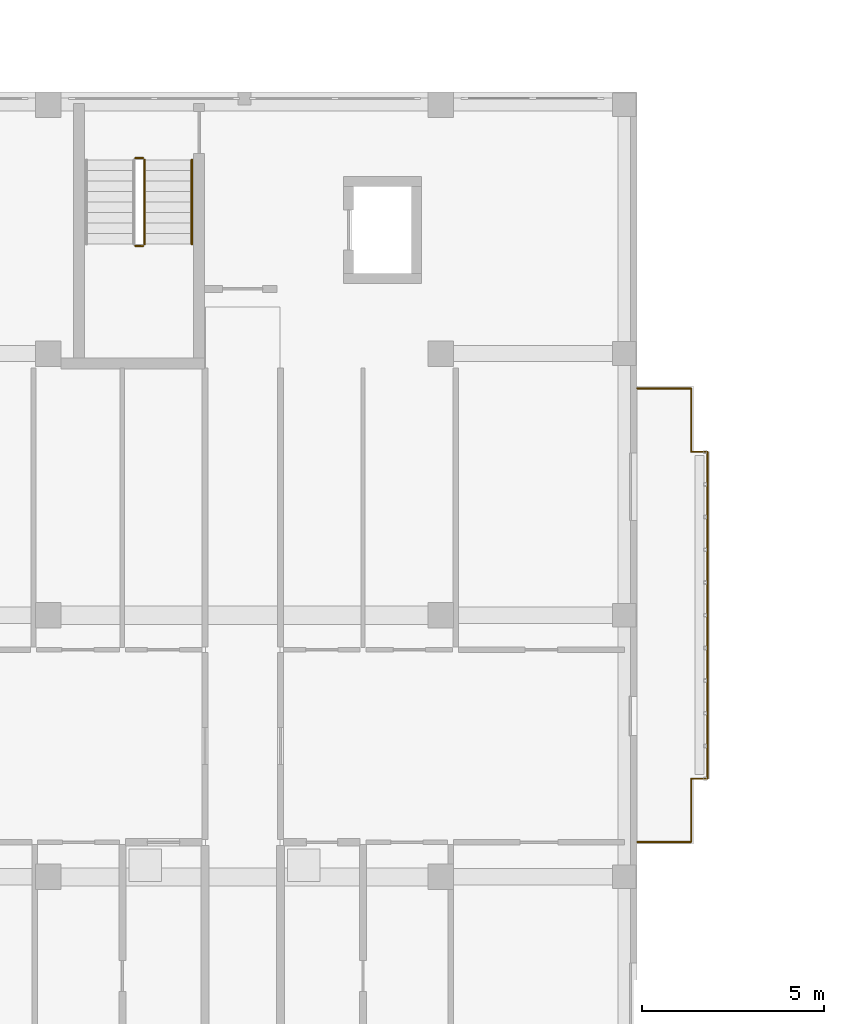
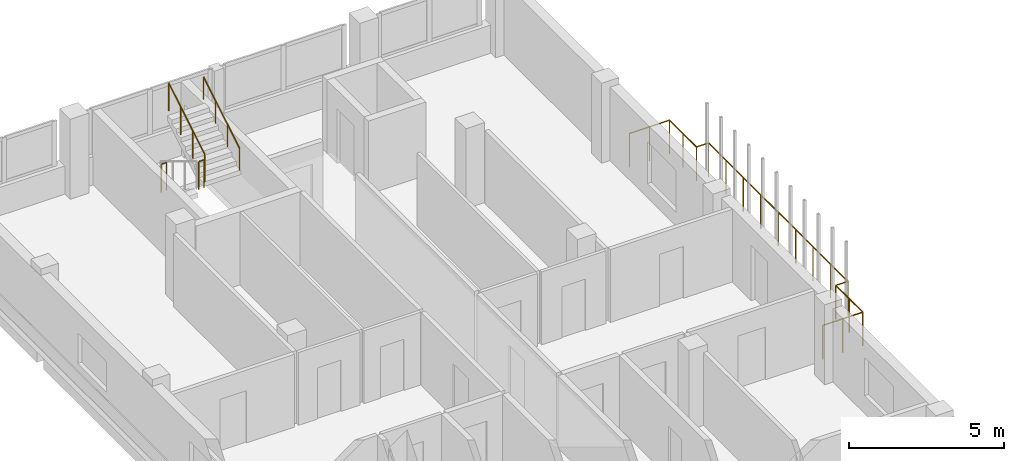
# One storey, part 45 of 56: 5 railings.
"""IFC4 building model written with IfcOpenShell, lengths in metres."""

from ifc_helpers import new_model, si_unit, derived_unit, direction, frame, origin, origin_2d, place, context, subcontext, project, spatial, circle, extrude, material, type_object, element, save


model = new_model("IFC4")

# Units and contexts
model_context = context("Model", 3, precision=1e-05, world=origin(), true_north=direction((0.0, 1.0)))
body_context = subcontext(model_context, "Body", "Model", "MODEL_VIEW")
ifc_project = project(units=[si_unit("LENGTHUNIT", "METRE"), si_unit("AREAUNIT", "SQUARE_METRE"), si_unit("VOLUMEUNIT", "CUBIC_METRE"), si_unit("PLANEANGLEUNIT", "RADIAN"), si_unit("MASSUNIT", "GRAM", prefix="KILO"), derived_unit("THERMALTRANSMITTANCEUNIT", [(si_unit("MASSUNIT", "GRAM", prefix="KILO"), 1), (si_unit("TIMEUNIT", "SECOND"), -3), (si_unit("THERMODYNAMICTEMPERATUREUNIT", "KELVIN"), -1)])], contexts=[model_context])

# Site, building, storey
site_placement = place(None, origin())
site = spatial("IfcSite", under=ifc_project, at=site_placement, CompositionType="ELEMENT")
building_placement = place(site_placement, origin())
building = spatial("IfcBuilding", under=site, at=building_placement, Name="Ochrekiln Boulevard Commons", CompositionType="ELEMENT")
storey_placement = place(building_placement, frame((0.0, 0.0, 12.074951171875)))
storey = spatial("IfcBuildingStorey", under=building, at=storey_placement, Name="L03", CompositionType="ELEMENT", Elevation=12.074951171875)

# Railings
ifc_material_1 = material(Name="Bronze-anodized extruded aluminium 6063-T6", Category="aluminium")
railing_type_1 = type_object("IfcRailingType", Name="RLG-BAL-1350", PredefinedType="BALUSTRADE", material=ifc_material_1)
railing_1_placement = place(storey_placement, frame((21.60009765625, 29.760009765625, 0.0)))
element("IfcRailing", 1, at=railing_1_placement, inside=storey, type_object=railing_type_1, Name="Block D L03 Balcony Guard Balustrade 2", PredefinedType="BALUSTRADE", context=body_context, shape_type="SweptSolid", body=[
    extrude(circle(Radius=0.02392578125, at=origin_2d()), frame((0.0, 0.0, 1.326171875), z_axis=(1.0, 0.0, 0.0), x_axis=(0.0, 1.0, 0.0)), (0.0, 0.0, 1.0), 1.489990234375),
    extrude(circle(Radius=0.02392578125, at=origin_2d()), frame((1.489990234375, 0.0, 1.326171875), z_axis=(0.0, 1.0, 0.0), x_axis=(-1.0, 0.0, 0.0)), (0.0, 0.0, 1.0), 1.739990234375),
    extrude(circle(Radius=0.02392578125, at=origin_2d()), frame((1.489990234375, 1.739990234375, 1.326171875), z_axis=(1.0, 0.0, 0.0), x_axis=(0.0, 1.0, 0.0)), (0.0, 0.0, 1.0), 0.449951171875),
    extrude(circle(Radius=0.02392578125, at=origin_2d()), frame((1.93994140625, 1.739990234375, 1.326171875), z_axis=(0.0, 1.0, 0.0), x_axis=(-1.0, 0.0, 0.0)), (0.0, 0.0, 1.0), 9.0),
    extrude(circle(Radius=0.02392578125, at=origin_2d()), frame((1.93994140625, 10.739990234375, 1.326171875), z_axis=(-1.0, 0.0, 0.0), x_axis=(0.0, -1.0, 0.0)), (0.0, 0.0, 1.0), 0.449951171875),
    extrude(circle(Radius=0.02392578125, at=origin_2d()), frame((1.489990234375, 10.739990234375, 1.326171875), z_axis=(0.0, 1.0, 0.0), x_axis=(-1.0, 0.0, 0.0)), (0.0, 0.0, 1.0), 1.739990234375),
    extrude(circle(Radius=0.02392578125, at=origin_2d()), frame((1.489990234375, 12.47998046875, 1.326171875), z_axis=(-1.0, 0.0, 0.0), x_axis=(0.0, -1.0, 0.0)), (0.0, 0.0, 1.0), 1.489990234375),
    extrude(circle(Radius=0.02099609375, at=origin_2d()), origin(), (0.0, 0.0, 1.0), 1.302001953125),
    extrude(circle(Radius=0.02099609375, at=origin_2d()), frame((0.7451171875, 0.0, 0.0)), (0.0, 0.0, 1.0), 1.302001953125),
    extrude(circle(Radius=0.02099609375, at=origin_2d()), frame((1.489990234375, 0.0, 0.0)), (0.0, 0.0, 1.0), 1.302001953125),
    extrude(circle(Radius=0.02099609375, at=origin_2d()), frame((1.489990234375, 0.8701171875, 0.0)), (0.0, 0.0, 1.0), 1.302001953125),
    extrude(circle(Radius=0.02099609375, at=origin_2d()), frame((1.489990234375, 1.739990234375, 0.0)), (0.0, 0.0, 1.0), 1.302001953125),
    extrude(circle(Radius=0.02099609375, at=origin_2d()), frame((1.93994140625, 1.739990234375, 0.0)), (0.0, 0.0, 1.0), 1.302001953125),
    extrude(circle(Radius=0.02099609375, at=origin_2d()), frame((1.93994140625, 2.864990234375, 0.0)), (0.0, 0.0, 1.0), 1.302001953125),
    extrude(circle(Radius=0.02099609375, at=origin_2d()), frame((1.93994140625, 3.989990234375, 0.0)), (0.0, 0.0, 1.0), 1.302001953125),
    extrude(circle(Radius=0.02099609375, at=origin_2d()), frame((1.93994140625, 5.114990234375, 0.0)), (0.0, 0.0, 1.0), 1.302001953125),
    extrude(circle(Radius=0.02099609375, at=origin_2d()), frame((1.93994140625, 6.239990234375, 0.0)), (0.0, 0.0, 1.0), 1.302001953125),
    extrude(circle(Radius=0.02099609375, at=origin_2d()), frame((1.93994140625, 7.364990234375, 0.0)), (0.0, 0.0, 1.0), 1.302001953125),
    extrude(circle(Radius=0.02099609375, at=origin_2d()), frame((1.93994140625, 8.489990234375, 0.0)), (0.0, 0.0, 1.0), 1.302001953125),
    extrude(circle(Radius=0.02099609375, at=origin_2d()), frame((1.93994140625, 9.614990234375, 0.0)), (0.0, 0.0, 1.0), 1.302001953125),
    extrude(circle(Radius=0.02099609375, at=origin_2d()), frame((1.93994140625, 10.739990234375, 0.0)), (0.0, 0.0, 1.0), 1.302001953125),
    extrude(circle(Radius=0.02099609375, at=origin_2d()), frame((1.489990234375, 10.739990234375, 0.0)), (0.0, 0.0, 1.0), 1.302001953125),
    extrude(circle(Radius=0.02099609375, at=origin_2d()), frame((1.489990234375, 11.60986328125, 0.0)), (0.0, 0.0, 1.0), 1.302001953125),
    extrude(circle(Radius=0.02099609375, at=origin_2d()), frame((1.489990234375, 12.47998046875, 0.0)), (0.0, 0.0, 1.0), 1.302001953125),
    extrude(circle(Radius=0.02099609375, at=origin_2d()), frame((0.7451171875, 12.47998046875, 0.0)), (0.0, 0.0, 1.0), 1.302001953125),
    extrude(circle(Radius=0.02099609375, at=origin_2d()), frame((0.0, 12.47998046875, 0.0)), (0.0, 0.0, 1.0), 1.302001953125),
])
ifc_material_2 = material(Name="Brushed stainless steel 316 tubular railing", Category="steel")
railing_type_2 = type_object("IfcRailingType", Name="RLG-HDR-900", PredefinedType="HANDRAIL", material=ifc_material_2)
railing_2_placement = place(storey_placement, frame((9.35009765625, 46.2099609375, 1.75)))
element("IfcRailing", 2, at=railing_2_placement, inside=storey, type_object=railing_type_2, Name="L03 ST-D2 stair handrail 2", PredefinedType="HANDRAIL", context=body_context, shape_type="SweptSolid", body=[
    extrude(circle(Radius=0.02392578125, at=origin_2d()), frame((0.0, 0.0, 0.8759765625), z_axis=(0.0, 0.856170481923, 0.516693435108), x_axis=(-1.0, 0.0, 0.0)), (0.0, 0.0, 1.0), 2.709716796875),
    extrude(circle(Radius=0.02099609375, at=origin_2d()), origin(), (0.0, 0.0, 1.0), 0.851806640625),
    extrude(circle(Radius=0.02099609375, at=origin_2d()), frame((0.0, 0.7734375, 0.466796875)), (0.0, 0.0, 1.0), 0.851806640625),
    extrude(circle(Radius=0.02099609375, at=origin_2d()), frame((0.0, 1.546630859375, 0.933349609375)), (0.0, 0.0, 1.0), 0.851806640625),
    extrude(circle(Radius=0.02099609375, at=origin_2d()), frame((0.0, 2.320068359375, 1.400146484375)), (0.0, 0.0, 1.0), 0.851806640625),
])
railing_type_3 = type_object("IfcRailingType", Name="RLG-STR-1120", PredefinedType="BALUSTRADE", material=ifc_material_2)
railing_3_placement = place(storey_placement, frame((7.800048828125, 46.159912109375, 1.574951171875)))
element("IfcRailing", 3, at=railing_3_placement, inside=storey, type_object=railing_type_3, Name="L03 ST-D2 stair guard 2", PredefinedType="BALUSTRADE", context=body_context, shape_type="SweptSolid", body=[
    extrude(circle(Radius=0.02392578125, at=origin_2d()), frame((0.0, 0.0, 1.09619140625), z_axis=(1.0, 0.0, 0.0), x_axis=(0.0, 1.0, 0.0)), (0.0, 0.0, 1.0), 0.199951171875),
    extrude(circle(Radius=0.02099609375, at=origin_2d()), origin(), (0.0, 0.0, 1.0), 1.072021484375),
    extrude(circle(Radius=0.02099609375, at=origin_2d()), frame((0.199951171875, 0.0, 0.0)), (0.0, 0.0, 1.0), 1.072021484375),
])
railing_4_placement = place(storey_placement, frame((8.050048828125, 46.2099609375, 1.75)))
element("IfcRailing", 4, at=railing_4_placement, inside=storey, type_object=railing_type_3, Name="L03 ST-D2 stair guard 3", PredefinedType="BALUSTRADE", context=body_context, shape_type="SweptSolid", body=[
    extrude(circle(Radius=0.02392578125, at=origin_2d()), frame((0.0, 0.0, 1.09619140625), z_axis=(0.0, 0.856170481923, 0.516693435108), x_axis=(-1.0, 0.0, 0.0)), (0.0, 0.0, 1.0), 2.709716796875),
    extrude(circle(Radius=0.02099609375, at=origin_2d()), origin(), (0.0, 0.0, 1.0), 1.072021484375),
    extrude(circle(Radius=0.02099609375, at=origin_2d()), frame((0.0, 0.7734375, 0.466796875)), (0.0, 0.0, 1.0), 1.072021484375),
    extrude(circle(Radius=0.02099609375, at=origin_2d()), frame((0.0, 1.546630859375, 0.933349609375)), (0.0, 0.0, 1.0), 1.072021484375),
    extrude(circle(Radius=0.02099609375, at=origin_2d()), frame((0.0, 2.320068359375, 1.400146484375)), (0.0, 0.0, 1.0), 1.072021484375),
])
railing_5_placement = place(storey_placement, frame((7.800048828125, 48.580078125, 0.0)))
element("IfcRailing", 5, at=railing_5_placement, inside=storey, type_object=railing_type_3, Name="L03 ST-D2 stair guard 4", PredefinedType="BALUSTRADE", context=body_context, shape_type="SweptSolid", body=[
    extrude(circle(Radius=0.02392578125, at=origin_2d()), frame((0.0, 0.0, 1.09619140625), z_axis=(1.0, 0.0, 0.0), x_axis=(0.0, 1.0, 0.0)), (0.0, 0.0, 1.0), 0.199951171875),
    extrude(circle(Radius=0.02099609375, at=origin_2d()), origin(), (0.0, 0.0, 1.0), 1.072021484375),
    extrude(circle(Radius=0.02099609375, at=origin_2d()), frame((0.199951171875, 0.0, 0.0)), (0.0, 0.0, 1.0), 1.072021484375),
])

save(model, "model.ifc")
